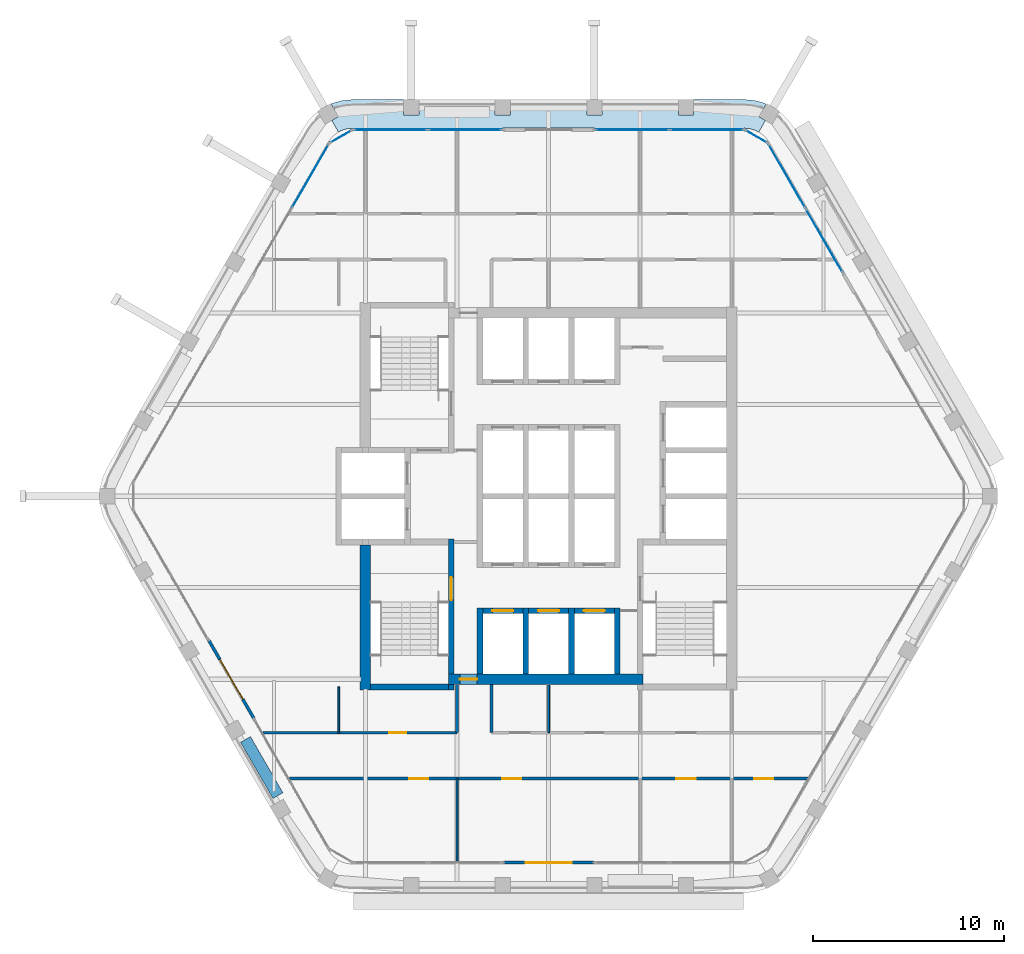
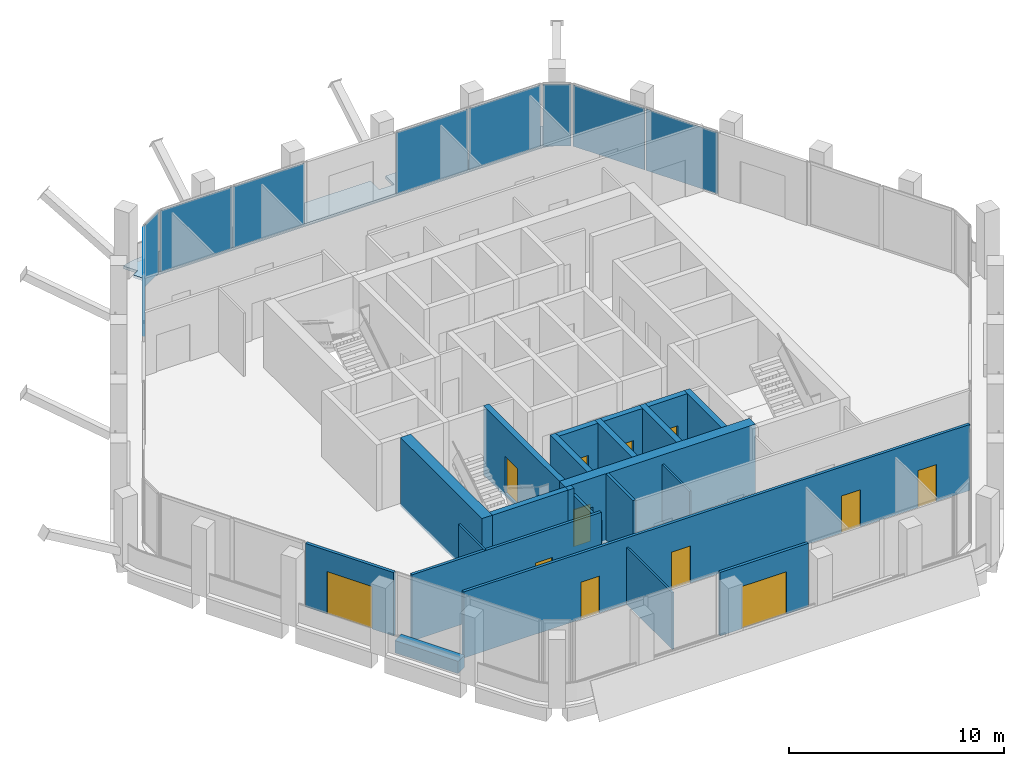
# One storey, part 7 of 14: 22 walls, 12 doors, 9 plates, 1 slab, 12 openings, 6 elements without a shape of their own.
"""IFC4 building model written with IfcOpenShell, lengths in metres."""

import ifcopenshell
import ifcopenshell.guid

model = None  # the IFC model being written
_history = None  # IfcOwnerHistory: only IFC2X3 demands one
_inside = {}  # id of a spatial element -> (the spatial element, [elements in it])
_under = {}  # id of a project, library or spatial element -> (it, [spatial elements below it])
_declared = {}  # id of a project -> (the project, [libraries it declares])
_typed = {}  # id of a type object -> (the type object, [elements of that type])
_made_of = {}  # id of a material, layer set ... -> (it, [elements and type objects made of it])


def new_model(schema):
    """Start an empty IFC model of exactly this schema.

    Asked for "IFC4X3", IfcOpenShell would pick the latest addendum, in which some entities
    have other attributes; the version numbers below select the first issue.
    IFC2X3 requires an IfcOwnerHistory on every rooted entity: one is made here for all.
    """
    global model, _history
    if schema == "IFC4X3":
        model = ifcopenshell.file(schema_version=(4, 3, 0, 0))
    else:
        model = ifcopenshell.file(schema=schema)
    _inside.clear()
    _under.clear()
    _declared.clear()
    _typed.clear()
    _made_of.clear()
    _history = None
    if model.schema == "IFC2X3":
        org = make("IfcOrganization", Name="unknown")
        user = make(
            "IfcPersonAndOrganization",
            ThePerson=make("IfcPerson", FamilyName="unknown"),
            TheOrganization=org,
        )
        app = make(
            "IfcApplication",
            ApplicationDeveloper=org,
            Version="unknown",
            ApplicationFullName="unknown",
            ApplicationIdentifier="unknown",
        )
        _history = make(
            "IfcOwnerHistory",
            OwningUser=user,
            OwningApplication=app,
            ChangeAction="ADDED",
            CreationDate=0,
        )
    return model


def make(cls, **values):
    """One entity of the class cls with the attributes given. An attribute that is None is left unset."""
    return model.create_entity(
        cls, **{name: value for name, value in values.items() if value is not None}
    )


def rooted(cls, **values):
    """An entity with a GlobalId (a new one), such as an element, a storey or a relation."""
    return make(cls, GlobalId=ifcopenshell.guid.new(), OwnerHistory=_history, **values)


def si_unit(unit_type, name, prefix=None):
    """IfcSIUnit, for example si_unit("LENGTHUNIT", "METRE", prefix="MILLI")."""
    return make("IfcSIUnit", UnitType=unit_type, Prefix=prefix, Name=name)


def assignment(units):
    """IfcUnitAssignment: the units of a project."""
    return None if units is None else make("IfcUnitAssignment", Units=units)


def point(xyz):
    """IfcCartesianPoint."""
    return None if xyz is None else make("IfcCartesianPoint", Coordinates=xyz)


def direction(xyz):
    """IfcDirection."""
    return None if xyz is None else make("IfcDirection", DirectionRatios=xyz)


def frame(location, z_axis=None, x_axis=None):
    """IfcAxis2Placement3D, a coordinate frame: its origin and axes. An axis left out is left unset."""
    return make(
        "IfcAxis2Placement3D",
        Location=point(location),
        Axis=direction(z_axis),
        RefDirection=direction(x_axis),
    )


def frame_2d(location, x_axis=None):
    """IfcAxis2Placement2D, a coordinate frame in the plane: its origin and x axis."""
    return make(
        "IfcAxis2Placement2D", Location=point(location), RefDirection=direction(x_axis)
    )


def origin():
    """The frame at (0, 0, 0) with its axes left unset."""
    return frame((0.0, 0.0, 0.0))


def origin_2d():
    """The frame at (0, 0) in the plane with its x axis left unset."""
    return frame_2d((0.0, 0.0))


def place(relative_to, where):
    """IfcLocalPlacement: puts the frame where relative to a parent placement (None: the world)."""
    return make(
        "IfcLocalPlacement", PlacementRelTo=relative_to, RelativePlacement=where
    )


def context(
    kind, dimensions, precision=None, world=None, true_north=None, identifier=None
):
    """IfcGeometricRepresentationContext, for example the 3D "Model" context."""
    return make(
        "IfcGeometricRepresentationContext",
        ContextIdentifier=identifier,
        ContextType=kind,
        CoordinateSpaceDimension=dimensions,
        Precision=precision,
        WorldCoordinateSystem=world,
        TrueNorth=true_north,
    )


def subcontext(parent, identifier, kind, view, scale=None):
    """IfcGeometricRepresentationSubContext, for example "Body" below "Model"."""
    return make(
        "IfcGeometricRepresentationSubContext",
        ContextIdentifier=identifier,
        ContextType=kind,
        ParentContext=parent,
        TargetScale=scale,
        TargetView=view,
    )


def project(units=None, contexts=None):
    """IfcProject with its units and contexts."""
    return rooted(
        "IfcProject",
        Name="project",
        RepresentationContexts=contexts,
        UnitsInContext=assignment(units),
    )


def spatial(cls, under=None, at=None, **own):
    """A site, building, storey or space (cls), placed at a placement, below another one or the project."""
    s = rooted(cls, ObjectPlacement=at, **own)
    if under is not None:
        _under.setdefault(under.id(), (under, []))[1].append(s)
    return s


def polyline(points):
    """IfcPolyline through the points."""
    return make("IfcPolyline", Points=[point(p) for p in points])


def profile(cls, at=None, kind="AREA", **sizes):
    """A parametric profile (cls). Its sizes go by their IFC names, for example OverallWidth=200.0."""
    return make(cls, ProfileType=kind, Position=at, **sizes)


def rectangle(**sizes):
    """IfcRectangleProfileDef."""
    return profile("IfcRectangleProfileDef", **sizes)


def outline(outer, holes=None, kind="AREA"):
    """IfcArbitraryClosedProfileDef: a profile drawn as a closed curve; with holes, ...WithVoids."""
    if holes is None:
        return make("IfcArbitraryClosedProfileDef", ProfileType=kind, OuterCurve=outer)
    return make(
        "IfcArbitraryProfileDefWithVoids",
        ProfileType=kind,
        OuterCurve=outer,
        InnerCurves=holes,
    )


def extrude(swept, where, along, depth):
    """IfcExtrudedAreaSolid: the profile swept, set in the frame where, extruded along a direction by depth."""
    return make(
        "IfcExtrudedAreaSolid",
        SweptArea=swept,
        Position=where,
        ExtrudedDirection=direction(along),
        Depth=depth,
    )


def shape(context_of_items, identifier, shape_type, items):
    """IfcShapeRepresentation: the items that make up one representation, for example the "Body"."""
    return make(
        "IfcShapeRepresentation",
        ContextOfItems=context_of_items,
        RepresentationIdentifier=identifier,
        RepresentationType=shape_type,
        Items=items,
    )


def material(Name=None, Category=None):
    """IfcMaterial."""
    return make("IfcMaterial", Name=Name, Category=Category)


def layer(
    of_material, thickness, ventilated=None, Name=None, Category=None, Priority=None
):
    """IfcMaterialLayer: one layer of a wall or slab, of a material (None: an air gap)."""
    return make(
        "IfcMaterialLayer",
        Material=of_material,
        LayerThickness=thickness,
        IsVentilated=ventilated,
        Name=Name,
        Category=Category,
        Priority=Priority,
    )


def layer_set(layers, Name=None):
    """IfcMaterialLayerSet."""
    return make("IfcMaterialLayerSet", MaterialLayers=layers, LayerSetName=Name)


def made_of(thing, what):
    """Note that an element or type object is made of a material, layer set ...; save() writes the relation."""
    if what is not None:
        _made_of.setdefault(what.id(), (what, []))[1].append(thing)
    return thing


def type_object(cls, material=None, **own):
    """A type object (cls), such as IfcWallType, which elements share."""
    return made_of(rooted(cls, **own), material)


def element(
    cls,
    number,
    at=None,
    inside=None,
    cuts=None,
    type_object=None,
    material=None,
    context=None,
    identifier="Body",
    shape_type=None,
    held_by="IfcProductDefinitionShape",
    body=None,
    shapes=None,
    **own,
):
    """One element of the class cls, such as IfcWall. Its Tag is "e" and its number.

    at: its placement. inside: the storey or other place that contains it. cuts: it is an
    opening in that element (IfcRelVoidsElement). A single representation is given by context,
    identifier, shape_type and body (its items); several are given by shapes. held_by: the class
    of the entity that holds the representations. save() writes the other relations.
    """
    e = rooted(cls, Tag="e%d" % number, ObjectPlacement=at, **own)
    if body is not None:
        shapes = [shape(context, identifier, shape_type, body)]
    if shapes is not None:
        e.Representation = make(held_by, Representations=shapes)
    if inside is not None:
        _inside.setdefault(inside.id(), (inside, []))[1].append(e)
    if cuts is not None:
        rooted(
            "IfcRelVoidsElement", RelatingBuildingElement=cuts, RelatedOpeningElement=e
        )
    if type_object is not None:
        _typed.setdefault(type_object.id(), (type_object, []))[1].append(e)
    return made_of(e, material)


def fill(opening, filler):
    """IfcRelFillsElement: the door or window that sits in an opening."""
    return rooted(
        "IfcRelFillsElement",
        RelatingOpeningElement=opening,
        RelatedBuildingElement=filler,
    )


def aggregate(whole, parts):
    """IfcRelAggregates: a whole, such as a stair, and the parts it consists of."""
    return rooted("IfcRelAggregates", RelatingObject=whole, RelatedObjects=parts)


def save(model, path):
    """Write the relations noted so far, then the file.

    IfcRelAggregates (storeys below a building ...), IfcRelContainedInSpatialStructure (elements
    in a storey), IfcRelDefinesByType, IfcRelAssociatesMaterial and IfcRelDeclares: one each for
    every whole, place, type object, material and project.
    """
    for whole, parts in _under.values():
        aggregate(whole, parts)
    for where, things in _inside.values():
        rooted(
            "IfcRelContainedInSpatialStructure",
            RelatedElements=things,
            RelatingStructure=where,
        )
    for kind, things in _typed.values():
        rooted("IfcRelDefinesByType", RelatedObjects=things, RelatingType=kind)
    for what, things in _made_of.values():
        rooted("IfcRelAssociatesMaterial", RelatedObjects=things, RelatingMaterial=what)
    for by, libraries in _declared.values():
        rooted("IfcRelDeclares", RelatingContext=by, RelatedDefinitions=libraries)
    model.write(path)


model = new_model("IFC4")

# Units and contexts
model_context = context("Model", 3, precision=1e-05, world=origin(), true_north=direction((0.0, 1.0)))
body_context = subcontext(model_context, "Body", "Model", "MODEL_VIEW")
ifc_project = project(units=[si_unit("LENGTHUNIT", "METRE"), si_unit("AREAUNIT", "SQUARE_METRE"), si_unit("VOLUMEUNIT", "CUBIC_METRE"), si_unit("PLANEANGLEUNIT", "RADIAN"), si_unit("MASSUNIT", "GRAM", prefix="KILO")], contexts=[model_context])

# Site, building, storey
site_placement = place(None, origin())
site = spatial("IfcSite", under=ifc_project, at=site_placement, CompositionType="ELEMENT")
building_placement = place(site_placement, origin())
building = spatial("IfcBuilding", under=site, at=building_placement, Name="Kolab Exchange Tower", CompositionType="ELEMENT")
storey_placement = place(building_placement, frame((0.0, 0.0, 250.10009765625)))
storey = spatial("IfcBuildingStorey", under=building, at=storey_placement, Name="L55", CompositionType="ELEMENT", Elevation=250.10009765625)

# Slab
ifc_material_1 = material(Name="Concrete C35/45", Category="concrete")
ifc_layer_1 = layer(ifc_material_1, 0.14990234375)
ifc_layer_set_1 = layer_set([ifc_layer_1], Name="Concrete C35/45")
slab_type = type_object("IfcSlabType", Name="LOGGIA SLAB 150", PredefinedType="FLOOR", material=ifc_layer_set_1)
slab_placement = place(storey_placement, frame((0.0, 0.0, -0.150146484375)))
element("IfcSlab", 1, at=slab_placement, inside=storey, type_object=slab_type, Name="slab/L55/loggia/0-0", PredefinedType="FLOOR", context=body_context, shape_type="SweptSolid", body=[
    extrude(outline(polyline([(11.01806640625, 19.083740234375), (11.367919921875, 19.68994140625), (11.021484375, 19.889892578125), (11.404052734375, 20.552490234375), (11.2939453125, 20.603759765625), (10.788818359375, 20.739013671875), (10.26806640625, 20.78466796875), (7.60009765625, 20.78466796875), (7.60009765625, 19.984619140625), (6.800048828125, 19.984619140625), (6.800048828125, 20.78466796875), (2.800048828125, 20.78466796875), (2.800048828125, 19.984619140625), (2.0, 19.984619140625), (2.0, 20.78466796875), (-2.0, 20.78466796875), (-2.0, 19.984619140625), (-2.800048828125, 19.984619140625), (-2.800048828125, 20.78466796875), (-6.800048828125, 20.78466796875), (-6.800048828125, 19.984619140625), (-7.60009765625, 19.984619140625), (-7.60009765625, 20.78466796875), (-10.26806640625, 20.78466796875), (-10.788818359375, 20.739013671875), (-11.2939453125, 20.603759765625), (-11.404052734375, 20.552490234375), (-11.021484375, 19.889892578125), (-11.367919921875, 19.68994140625), (-11.01806640625, 19.083740234375), (-10.781005859375, 19.194091796875), (-10.5283203125, 19.26171875), (-10.26806640625, 19.28466796875), (10.26806640625, 19.28466796875), (10.5283203125, 19.26171875), (10.781005859375, 19.194091796875), (11.01806640625, 19.083740234375)])), origin(), (0.0, 0.0, 1.0), 0.150146484375),
])

# Curtain wall, plates
ifc_material_2 = material(Name="Aluminium EN AW-6063 T6", Category="aluminium")
curtain_wall_type = type_object("IfcCurtainWallType", Name="UNITISED HIGH ZONE CURTAIN WALL", PredefinedType="NOTDEFINED", material=ifc_material_2)
curtain_wall_1_placement = place(storey_placement, origin())
curtain_wall_1 = element("IfcCurtainWall", 2, at=curtain_wall_1_placement, inside=storey, type_object=curtain_wall_type, Name="cw/L55/F1-1", PredefinedType="NOTDEFINED")
ifc_material_3 = material(Name="Clear insulated glazing unit", Category="glass")
ifc_layer_2 = layer(ifc_material_3, 0.030029296875)
ifc_layer_set_2 = layer_set([ifc_layer_2], Name="Clear insulated glazing unit")
plate_type = type_object("IfcPlateType", Name="UNITISED HIGH ZONE GLASS PANEL 30", PredefinedType="CURTAIN_PANEL", material=ifc_layer_set_2)
plate_1_placement = place(storey_placement, frame((-8.285888671875, 19.20458984375, 0.059814453125), z_axis=(0.0, 0.0, 1.0), x_axis=(1.0, 0.0, 0.0)))
plate_1 = element("IfcPlate", 3, at=plate_1_placement, type_object=plate_type, Name="CW4 panel 1.1", PredefinedType="CURTAIN_PANEL", context=body_context, shape_type="SweptSolid", body=[
    extrude(rectangle(XDim=3.843994140625, YDim=0.030029296875, at=origin_2d()), origin(), (0.0, 0.0, 1.0), 3.47998046875),
])
plate_2_placement = place(storey_placement, frame((-4.382080078125, 19.20458984375, 0.059814453125), z_axis=(0.0, 0.0, 1.0), x_axis=(1.0, 0.0, 0.0)))
plate_2 = element("IfcPlate", 4, at=plate_2_placement, type_object=plate_type, Name="CW4 panel 2.1", PredefinedType="CURTAIN_PANEL", context=body_context, shape_type="SweptSolid", body=[
    extrude(rectangle(XDim=3.843994140625, YDim=0.030029296875, at=origin_2d()), origin(), (0.0, 0.0, 1.0), 3.47998046875),
])
aggregate(curtain_wall_1, [plate_1, plate_2])

curtain_wall_2_placement = place(storey_placement, origin())
curtain_wall_2 = element("IfcCurtainWall", 5, at=curtain_wall_2_placement, inside=storey, type_object=curtain_wall_type, Name="cw/L55/F1-2", PredefinedType="NOTDEFINED")
plate_3_placement = place(storey_placement, frame((4.382080078125, 19.20458984375, 0.059814453125), z_axis=(0.0, 0.0, 1.0), x_axis=(1.0, 0.0, 0.0)))
plate_3 = element("IfcPlate", 6, at=plate_3_placement, type_object=plate_type, Name="CW4 panel 1.1", PredefinedType="CURTAIN_PANEL", context=body_context, shape_type="SweptSolid", body=[
    extrude(rectangle(XDim=3.843994140625, YDim=0.030029296875, at=origin_2d()), origin(), (0.0, 0.0, 1.0), 3.47998046875),
])
plate_4_placement = place(storey_placement, frame((8.285888671875, 19.20458984375, 0.059814453125), z_axis=(0.0, 0.0, 1.0), x_axis=(1.0, 0.0, 0.0)))
plate_4 = element("IfcPlate", 7, at=plate_4_placement, type_object=plate_type, Name="CW4 panel 2.1", PredefinedType="CURTAIN_PANEL", context=body_context, shape_type="SweptSolid", body=[
    extrude(rectangle(XDim=3.843994140625, YDim=0.030029296875, at=origin_2d()), origin(), (0.0, 0.0, 1.0), 3.47998046875),
])
aggregate(curtain_wall_2, [plate_3, plate_4])

curtain_wall_3_placement = place(storey_placement, origin())
curtain_wall_3 = element("IfcCurtainWall", 8, at=curtain_wall_3_placement, inside=storey, type_object=curtain_wall_type, Name="cw/L55/F2-1", PredefinedType="NOTDEFINED")
plate_5_placement = place(storey_placement, frame((12.48876953125, 16.778076171875, 0.059814453125), z_axis=(0.0, 0.0, 1.0), x_axis=(0.500000031681, -0.866025385493, 0.0)))
plate_5 = element("IfcPlate", 9, at=plate_5_placement, type_object=plate_type, Name="CW4 panel 1.1", PredefinedType="CURTAIN_PANEL", context=body_context, shape_type="SweptSolid", body=[
    extrude(rectangle(XDim=3.843994140625, YDim=0.030029296875, at=origin_2d()), origin(), (0.0, 0.0, 1.0), 3.47998046875),
])
plate_6_placement = place(storey_placement, frame((14.440673828125, 13.397216796875, 0.059814453125), z_axis=(0.0, 0.0, 1.0), x_axis=(0.500000031681, -0.866025385493, 0.0)))
plate_6 = element("IfcPlate", 10, at=plate_6_placement, type_object=plate_type, Name="CW4 panel 2.1", PredefinedType="CURTAIN_PANEL", context=body_context, shape_type="SweptSolid", body=[
    extrude(rectangle(XDim=3.843994140625, YDim=0.030029296875, at=origin_2d()), origin(), (0.0, 0.0, 1.0), 3.47998046875),
])
aggregate(curtain_wall_3, [plate_5, plate_6])

# Curtain wall, plate
curtain_wall_4_placement = place(storey_placement, origin())
curtain_wall_4 = element("IfcCurtainWall", 11, at=curtain_wall_4_placement, inside=storey, type_object=curtain_wall_type, Name="cw/L55/F6-2", PredefinedType="NOTDEFINED")
plate_7_placement = place(storey_placement, frame((-12.48876953125, 16.778076171875, 0.059814453125), z_axis=(0.0, 0.0, 1.0), x_axis=(0.500000031681, 0.866025385493, 0.0)))
plate_7 = element("IfcPlate", 12, at=plate_7_placement, type_object=plate_type, Name="CW4 panel 2.1", PredefinedType="CURTAIN_PANEL", context=body_context, shape_type="SweptSolid", body=[
    extrude(rectangle(XDim=3.843994140625, YDim=0.030029296875, at=origin_2d()), origin(), (0.0, 0.0, 1.0), 3.47998046875),
])
aggregate(curtain_wall_4, [plate_7])

curtain_wall_5_placement = place(storey_placement, origin())
curtain_wall_5 = element("IfcCurtainWall", 13, at=curtain_wall_5_placement, inside=storey, type_object=curtain_wall_type, Name="cw/L55/F1F2-corner", PredefinedType="NOTDEFINED")
plate_8_placement = place(storey_placement, frame((10.8828125, 18.849609375, 0.059814453125), z_axis=(0.0, 0.0, 1.0), x_axis=(0.866025390869, -0.50000002237, 0.0)))
plate_8 = element("IfcPlate", 14, at=plate_8_placement, type_object=plate_type, Name="CW4 panel 1.1", PredefinedType="CURTAIN_PANEL", context=body_context, shape_type="SweptSolid", body=[
    extrude(rectangle(XDim=1.300048828125, YDim=0.030029296875, at=origin_2d()), origin(), (0.0, 0.0, 1.0), 3.47998046875),
])
aggregate(curtain_wall_5, [plate_8])

curtain_wall_6_placement = place(storey_placement, origin())
curtain_wall_6 = element("IfcCurtainWall", 15, at=curtain_wall_6_placement, inside=storey, type_object=curtain_wall_type, Name="cw/L55/F6F1-corner", PredefinedType="NOTDEFINED")
plate_9_placement = place(storey_placement, frame((-10.8828125, 18.849609375, 0.059814453125), z_axis=(0.0, 0.0, 1.0), x_axis=(0.866025390869, 0.50000002237, 0.0)))
plate_9 = element("IfcPlate", 16, at=plate_9_placement, type_object=plate_type, Name="CW4 panel 1.1", PredefinedType="CURTAIN_PANEL", context=body_context, shape_type="SweptSolid", body=[
    extrude(rectangle(XDim=1.300048828125, YDim=0.030029296875, at=origin_2d()), origin(), (0.0, 0.0, 1.0), 3.47998046875),
])
aggregate(curtain_wall_6, [plate_9])

# Wall, opening, door
ifc_material_4 = material(Name="Concrete C50/60", Category="concrete")
ifc_layer_3 = layer(ifc_material_4, 0.550048828125)
ifc_layer_set_3 = layer_set([ifc_layer_3], Name="Concrete C50/60")
wall_type_1 = type_object("IfcWallType", Name="CORE WALL 550 C50/60", PredefinedType="SHEAR", material=ifc_layer_set_3)
wall_1_placement = place(storey_placement, frame((-5.25, -9.60009765625, -0.150146484375), z_axis=(0.0, 0.0, 1.0), x_axis=(1.0, 0.0, 0.0)))
wall_1 = element("IfcWall", 17, at=wall_1_placement, inside=storey, type_object=wall_type_1, Name="wall/L55/core/002", PredefinedType="SHEAR", context=body_context, shape_type="SweptSolid", body=[
    extrude(rectangle(XDim=10.199951171875, YDim=0.550048828125, at=frame_2d((5.10009765625, 0.0))), origin(), (0.0, 0.0, 1.0), 3.900146484375),
])
opening_1_placement = place(wall_1_placement, frame((0.60009765625, 0.0, 0.14990234375)))
opening_1 = element("IfcOpeningElement", 18, at=opening_1_placement, cuts=wall_1, Name="Opening D6-297", PredefinedType="OPENING", context=body_context, shape_type="SweptSolid", body=[
    extrude(rectangle(XDim=0.89990234375, YDim=2.10009765625, at=frame_2d((0.449951171875, 1.050048828125))), frame((0.0, 0.28515625, 0.0), z_axis=(0.0, -1.0, 0.0), x_axis=(1.0, 0.0, 0.0)), (0.0, 0.0, 1.0), 0.570068359375),
])
ifc_material_5 = material(Name="Steel S235", Category="steel")
door_type_1 = type_object("IfcDoorType", Name="CORE DOOR 900 EI 120", OperationType="SINGLE_SWING_LEFT", PredefinedType="DOOR", material=ifc_material_5)
door_1_placement = place(opening_1_placement, origin())
door_1 = element("IfcDoor", 19, at=door_1_placement, inside=storey, type_object=door_type_1, Name="Core lobby door", OperationType="SINGLE_SWING_RIGHT", OverallHeight=2.10009765625, OverallWidth=0.89990234375, PredefinedType="DOOR", context=body_context, shape_type="SweptSolid", body=[
    extrude(rectangle(XDim=0.89990234375, YDim=2.10009765625, at=frame_2d((0.449951171875, 1.050048828125))), frame((0.0, 0.02490234375, 0.0), z_axis=(0.0, -1.0, 0.0), x_axis=(1.0, 0.0, 0.0)), (0.0, 0.0, 1.0), 0.050048828125),
])
fill(opening_1, door_1)

# Wall
wall_2_placement = place(storey_placement, frame((-9.60009765625, -10.14990234375, -0.150146484375), z_axis=(0.0, 0.0, 1.0), x_axis=(0.0, 1.0, 0.0)))
element("IfcWall", 20, at=wall_2_placement, inside=storey, type_object=wall_type_1, Name="wall/L55/core/034", PredefinedType="SHEAR", context=body_context, shape_type="SweptSolid", body=[
    extrude(rectangle(XDim=7.599853515625, YDim=0.550048828125, at=frame_2d((3.7998046875, 0.0))), origin(), (0.0, 0.0, 1.0), 3.900146484375),
])

# Wall, opening, door
ifc_layer_4 = layer(ifc_material_2, 0.159912109375)
ifc_layer_set_4 = layer_set([ifc_layer_4], Name="Aluminium EN AW-6063 T6")
wall_type_2 = type_object("IfcWallType", Name="DOOR SURROUND WALL 160 ALUMINIUM FRAMED", PredefinedType="PARTITIONING", material=ifc_layer_set_4)
wall_3_placement = place(storey_placement, frame((2.3701171875, -19.20458984375, 0.0), z_axis=(0.0, 0.0, 1.0), x_axis=(-1.0, 0.0, 0.0)))
wall_3 = element("IfcWall", 21, at=wall_3_placement, inside=storey, type_object=wall_type_2, Name="Door surround wall", PredefinedType="PARTITIONING", context=body_context, shape_type="SweptSolid", body=[
    extrude(rectangle(XDim=4.740234375, YDim=0.159912109375, at=frame_2d((2.3701171875, 0.0))), origin(), (0.0, 0.0, 1.0), 3.599853515625),
])
opening_2_placement = place(wall_3_placement, frame((1.169921875, 0.0, 0.0)))
opening_2 = element("IfcOpeningElement", 22, at=opening_2_placement, cuts=wall_3, Name="Opening GD1-101", PredefinedType="OPENING", context=body_context, shape_type="SweptSolid", body=[
    extrude(rectangle(XDim=2.39990234375, YDim=2.39990234375, at=frame_2d((1.199951171875, 1.199951171875))), frame((0.0, 0.08984375, 0.0), z_axis=(0.0, -1.0, 0.0), x_axis=(1.0, 0.0, 0.0)), (0.0, 0.0, 1.0), 0.179931640625),
])
door_type_2 = type_object("IfcDoorType", Name="LOGGIA SLIDING GLASS DOOR 2400 X 2400", OperationType="DOUBLE_DOOR_SINGLE_SWING", PredefinedType="DOOR", material=ifc_material_2)
door_2_placement = place(opening_2_placement, origin())
door_2 = element("IfcDoor", 23, at=door_2_placement, inside=storey, type_object=door_type_2, Name="Loggia door", OperationType="DOUBLE_DOOR_SLIDING", OverallHeight=2.39990234375, OverallWidth=2.39990234375, PredefinedType="DOOR", context=body_context, shape_type="SweptSolid", body=[
    extrude(rectangle(XDim=2.39990234375, YDim=2.39990234375, at=frame_2d((1.199951171875, 1.199951171875))), frame((0.0, 0.02490234375, 0.0), z_axis=(0.0, -1.0, 0.0), x_axis=(1.0, 0.0, 0.0)), (0.0, 0.0, 1.0), 0.050048828125),
])
fill(opening_2, door_2)

wall_4_placement = place(storey_placement, frame((-15.44677734375, -11.65478515625, 0.0), z_axis=(0.0, 0.0, 1.0), x_axis=(-0.499978080042, 0.866038058908, 0.0)))
wall_4 = element("IfcWall", 24, at=wall_4_placement, inside=storey, type_object=wall_type_2, Name="Door surround wall", PredefinedType="PARTITIONING", context=body_context, shape_type="SweptSolid", body=[
    extrude(rectangle(XDim=4.739990234375, YDim=0.159912109375, at=frame_2d((2.3701171875, 0.0))), origin(), (0.0, 0.0, 1.0), 3.599853515625),
])
opening_3_placement = place(wall_4_placement, frame((1.169921875, 0.0, 0.0)))
opening_3 = element("IfcOpeningElement", 25, at=opening_3_placement, cuts=wall_4, Name="Opening GD1-105", PredefinedType="OPENING", context=body_context, shape_type="SweptSolid", body=[
    extrude(rectangle(XDim=2.39990234375, YDim=2.39990234375, at=frame_2d((1.199951171875, 1.199951171875))), frame((0.0, 0.08984375, 0.0), z_axis=(0.0, -1.0, 0.0), x_axis=(1.0, 0.0, 0.0)), (0.0, 0.0, 1.0), 0.179931640625),
])
door_3_placement = place(opening_3_placement, origin())
door_3 = element("IfcDoor", 26, at=door_3_placement, inside=storey, type_object=door_type_2, Name="Loggia door", OperationType="DOUBLE_DOOR_SLIDING", OverallHeight=2.39990234375, OverallWidth=2.39990234375, PredefinedType="DOOR", context=body_context, shape_type="SweptSolid", body=[
    extrude(rectangle(XDim=2.39990234375, YDim=2.39990234375, at=frame_2d((1.199951171875, 1.199951171875))), frame((0.0, 0.02490234375, 0.0), z_axis=(0.0, -1.0, 0.0), x_axis=(1.0, 0.0, 0.0)), (0.0, 0.0, 1.0), 0.050048828125),
])
fill(opening_3, door_3)

ifc_layer_5 = layer(ifc_material_4, 0.300048828125)
ifc_layer_set_5 = layer_set([ifc_layer_5], Name="Concrete C50/60")
wall_type_3 = type_object("IfcWallType", Name="LIFT SHAFT WALL 300 C50/60", PredefinedType="STANDARD", material=ifc_layer_set_5)
wall_5_placement = place(storey_placement, frame((-3.449951171875, -6.0, -0.150146484375), z_axis=(0.0, 0.0, 1.0), x_axis=(1.0, 0.0, 0.0)))
wall_5 = element("IfcWall", 27, at=wall_5_placement, inside=storey, type_object=wall_type_3, Name="wall/L55/core/003", PredefinedType="STANDARD", context=body_context, shape_type="SweptSolid", body=[
    extrude(rectangle(XDim=2.099853515625, YDim=0.300048828125, at=frame_2d((1.0498046875, 0.0))), origin(), (0.0, 0.0, 1.0), 3.900146484375),
])
opening_4_placement = place(wall_5_placement, frame((0.5, 0.0, 0.14990234375)))
opening_4 = element("IfcOpeningElement", 28, at=opening_4_placement, cuts=wall_5, Name="Opening LD1-110", PredefinedType="OPENING", context=body_context, shape_type="SweptSolid", body=[
    extrude(rectangle(XDim=1.10009765625, YDim=2.10009765625, at=frame_2d((0.550048828125, 1.050048828125))), frame((0.0, 0.16015625, 0.0), z_axis=(0.0, -1.0, 0.0), x_axis=(1.0, 0.0, 0.0)), (0.0, 0.0, 1.0), 0.320068359375),
])
ifc_material_6 = material(Name="Stainless steel 316", Category="steel")
door_type_3 = type_object("IfcDoorType", Name="LANDING DOOR 1100 PASSENGER", OperationType="DOUBLE_DOOR_SLIDING", PredefinedType="DOOR", material=ifc_material_6)
door_4_placement = place(opening_4_placement, origin())
door_4 = element("IfcDoor", 29, at=door_4_placement, inside=storey, type_object=door_type_3, Name="Landing door HR10", OperationType="DOUBLE_DOOR_SLIDING", OverallHeight=2.10009765625, OverallWidth=1.10009765625, PredefinedType="DOOR", context=body_context, shape_type="SweptSolid", body=[
    extrude(rectangle(XDim=1.10009765625, YDim=2.10009765625, at=frame_2d((0.550048828125, 1.050048828125))), frame((0.0, 0.02490234375, 0.0), z_axis=(0.0, -1.0, 0.0), x_axis=(1.0, 0.0, 0.0)), (0.0, 0.0, 1.0), 0.050048828125),
])
fill(opening_4, door_4)

wall_6_placement = place(storey_placement, frame((-1.050048828125, -6.0, -0.150146484375), z_axis=(0.0, 0.0, 1.0), x_axis=(1.0, 0.0, 0.0)))
wall_6 = element("IfcWall", 30, at=wall_6_placement, inside=storey, type_object=wall_type_3, Name="wall/L55/core/004", PredefinedType="STANDARD", context=body_context, shape_type="SweptSolid", body=[
    extrude(rectangle(XDim=2.10009765625, YDim=0.300048828125, at=frame_2d((1.050048828125, 0.0))), origin(), (0.0, 0.0, 1.0), 3.900146484375),
])
opening_5_placement = place(wall_6_placement, frame((0.5, 0.0, 0.14990234375)))
opening_5 = element("IfcOpeningElement", 31, at=opening_5_placement, cuts=wall_6, Name="Opening LD1-111", PredefinedType="OPENING", context=body_context, shape_type="SweptSolid", body=[
    extrude(rectangle(XDim=1.10009765625, YDim=2.10009765625, at=frame_2d((0.550048828125, 1.050048828125))), frame((0.0, 0.16015625, 0.0), z_axis=(0.0, -1.0, 0.0), x_axis=(1.0, 0.0, 0.0)), (0.0, 0.0, 1.0), 0.320068359375),
])
door_5_placement = place(opening_5_placement, origin())
door_5 = element("IfcDoor", 32, at=door_5_placement, inside=storey, type_object=door_type_3, Name="Landing door HR11", OperationType="DOUBLE_DOOR_SLIDING", OverallHeight=2.10009765625, OverallWidth=1.10009765625, PredefinedType="DOOR", context=body_context, shape_type="SweptSolid", body=[
    extrude(rectangle(XDim=1.10009765625, YDim=2.10009765625, at=frame_2d((0.550048828125, 1.050048828125))), frame((0.0, 0.02490234375, 0.0), z_axis=(0.0, -1.0, 0.0), x_axis=(1.0, 0.0, 0.0)), (0.0, 0.0, 1.0), 0.050048828125),
])
fill(opening_5, door_5)

wall_7_placement = place(storey_placement, frame((1.35009765625, -6.0, -0.150146484375), z_axis=(0.0, 0.0, 1.0), x_axis=(1.0, 0.0, 0.0)))
wall_7 = element("IfcWall", 33, at=wall_7_placement, inside=storey, type_object=wall_type_3, Name="wall/L55/core/005", PredefinedType="STANDARD", context=body_context, shape_type="SweptSolid", body=[
    extrude(rectangle(XDim=2.099853515625, YDim=0.300048828125, at=frame_2d((1.0498046875, 0.0))), origin(), (0.0, 0.0, 1.0), 3.900146484375),
])
opening_6_placement = place(wall_7_placement, frame((0.5, 0.0, 0.14990234375)))
opening_6 = element("IfcOpeningElement", 34, at=opening_6_placement, cuts=wall_7, Name="Opening LD1-112", PredefinedType="OPENING", context=body_context, shape_type="SweptSolid", body=[
    extrude(rectangle(XDim=1.10009765625, YDim=2.10009765625, at=frame_2d((0.550048828125, 1.050048828125))), frame((0.0, 0.16015625, 0.0), z_axis=(0.0, -1.0, 0.0), x_axis=(1.0, 0.0, 0.0)), (0.0, 0.0, 1.0), 0.320068359375),
])
door_6_placement = place(opening_6_placement, origin())
door_6 = element("IfcDoor", 35, at=door_6_placement, inside=storey, type_object=door_type_3, Name="Landing door HR12", OperationType="DOUBLE_DOOR_SLIDING", OverallHeight=2.10009765625, OverallWidth=1.10009765625, PredefinedType="DOOR", context=body_context, shape_type="SweptSolid", body=[
    extrude(rectangle(XDim=1.10009765625, YDim=2.10009765625, at=frame_2d((0.550048828125, 1.050048828125))), frame((0.0, 0.02490234375, 0.0), z_axis=(0.0, -1.0, 0.0), x_axis=(1.0, 0.0, 0.0)), (0.0, 0.0, 1.0), 0.050048828125),
])
fill(opening_6, door_6)

# Walls
for number, where, z_axis, x_axis, name in (
    (36, (-3.60009765625, -9.324951171875, -0.150146484375), (0.0, 0.0, 1.0), (0.0, 1.0, 0.0), "wall/L55/core/043"),
    (37, (-1.199951171875, -9.324951171875, -0.150146484375), (0.0, 0.0, 1.0), (0.0, 1.0, 0.0), "wall/L55/core/046"),
    (38, (1.199951171875, -9.324951171875, -0.150146484375), (0.0, 0.0, 1.0), (0.0, 1.0, 0.0), "wall/L55/core/049"),
    (39, (3.60009765625, -9.324951171875, -0.150146484375), (0.0, 0.0, 1.0), (0.0, 1.0, 0.0), "wall/L55/core/052"),
):
    element("IfcWall", number, at=place(storey_placement, frame(where, z_axis=z_axis, x_axis=x_axis)), inside=storey, type_object=wall_type_3, Name=name, PredefinedType="STANDARD", context=body_context, shape_type="SweptSolid", body=[
        extrude(rectangle(XDim=3.474853515625, YDim=0.300048828125, at=frame_2d((1.7373046875, 0.0))), origin(), (0.0, 0.0, 1.0), 3.900146484375),
    ])
ifc_material_7 = material(Name="Gypsum board", Category="gypsum")
ifc_layer_6 = layer(ifc_material_7, 0.10009765625)
ifc_layer_set_6 = layer_set([ifc_layer_6], Name="Gypsum board")
wall_type_4 = type_object("IfcWallType", Name="PARTITION 100", PredefinedType="PARTITIONING", material=ifc_layer_set_6)
wall_8_placement = place(storey_placement, frame((0.0, -12.39990234375, 0.0), z_axis=(0.0, 0.0, 1.0), x_axis=(0.0, 1.0, 0.0)))
element("IfcWall", 40, at=wall_8_placement, inside=storey, type_object=wall_type_4, Name="Partition 008", PredefinedType="PARTITIONING", context=body_context, shape_type="SweptSolid", body=[
    extrude(rectangle(XDim=2.52490234375, YDim=0.10009765625, at=frame_2d((1.262451171875, 0.0))), origin(), (0.0, 0.0, 1.0), 3.216796875),
])
wall_9_placement = place(storey_placement, frame((-4.800048828125, -19.114501953125, 0.0), z_axis=(0.0, 0.0, 1.0), x_axis=(0.0, 1.0, 0.0)))
element("IfcWall", 41, at=wall_9_placement, inside=storey, type_object=wall_type_4, Name="Partition 012", PredefinedType="PARTITIONING", context=body_context, shape_type="SweptSolid", body=[
    extrude(rectangle(XDim=4.314453125, YDim=0.10009765625, at=frame_2d((2.1572265625, 0.0))), origin(), (0.0, 0.0, 1.0), 3.216796875),
])
wall_10_placement = place(storey_placement, frame((-11.0, -12.39990234375, 0.0), z_axis=(0.0, 0.0, 1.0), x_axis=(0.0, 1.0, 0.0)))
element("IfcWall", 42, at=wall_10_placement, inside=storey, type_object=wall_type_4, Name="Partition 017", PredefinedType="PARTITIONING", context=body_context, shape_type="SweptSolid", body=[
    extrude(rectangle(XDim=2.39990234375, YDim=0.10009765625, at=frame_2d((1.199951171875, 0.0))), origin(), (0.0, 0.0, 1.0), 3.75),
])
ifc_layer_7 = layer(ifc_material_7, 0.14990234375)
ifc_layer_set_7 = layer_set([ifc_layer_7], Name="Gypsum board")
wall_type_5 = type_object("IfcWallType", Name="PARTITION 150 FIRE-RATED", PredefinedType="PARTITIONING", material=ifc_layer_set_7)
wall_11_placement = place(storey_placement, frame((-3.0, -12.39990234375, 0.0), z_axis=(0.0, 0.0, 1.0), x_axis=(0.0, 1.0, 0.0)))
element("IfcWall", 43, at=wall_11_placement, inside=storey, type_object=wall_type_5, Name="Partition 010", PredefinedType="PARTITIONING", context=body_context, shape_type="SweptSolid", body=[
    extrude(rectangle(XDim=2.52490234375, YDim=0.14990234375, at=frame_2d((1.262451171875, 0.0))), origin(), (0.0, 0.0, 1.0), 3.75),
])
wall_12_placement = place(storey_placement, frame((-4.800048828125, -12.39990234375, 0.0), z_axis=(0.0, 0.0, 1.0), x_axis=(0.0, 1.0, 0.0)))
element("IfcWall", 44, at=wall_12_placement, inside=storey, type_object=wall_type_5, Name="Partition 014", PredefinedType="PARTITIONING", context=body_context, shape_type="SweptSolid", body=[
    extrude(rectangle(XDim=2.52490234375, YDim=0.14990234375, at=frame_2d((1.262451171875, 0.0))), origin(), (0.0, 0.0, 1.0), 3.216796875),
])

# Wall, openings, doors
wall_13_placement = place(storey_placement, frame((-13.584716796875, -14.800048828125, 0.0), z_axis=(0.0, 0.0, 1.0), x_axis=(1.0, 0.0, 0.0)))
wall_13 = element("IfcWall", 45, at=wall_13_placement, inside=storey, type_object=wall_type_5, Name="Partition 019", PredefinedType="PARTITIONING", context=body_context, shape_type="SweptSolid", body=[
    extrude(rectangle(XDim=27.16943359375, YDim=0.14990234375, at=frame_2d((13.584716796875, 0.0))), origin(), (0.0, 0.0, 1.0), 3.75),
])
opening_7_placement = place(wall_13_placement, frame((6.281005859375, 0.0, 0.0)))
opening_7 = element("IfcOpeningElement", 46, at=opening_7_placement, cuts=wall_13, Name="Opening D1-682", PredefinedType="OPENING", context=body_context, shape_type="SweptSolid", body=[
    extrude(rectangle(XDim=1.0, YDim=2.10009765625, at=frame_2d((0.5, 1.050048828125))), frame((0.0, 0.0849609375, 0.0), z_axis=(0.0, -1.0, 0.0), x_axis=(1.0, 0.0, 0.0)), (0.0, 0.0, 1.0), 0.169921875),
])
opening_8_placement = place(wall_13_placement, frame((11.15966796875, 0.0, 0.0)))
opening_8 = element("IfcOpeningElement", 47, at=opening_8_placement, cuts=wall_13, Name="Opening D1-683", PredefinedType="OPENING", context=body_context, shape_type="SweptSolid", body=[
    extrude(rectangle(XDim=1.0, YDim=2.10009765625, at=frame_2d((0.5, 1.050048828125))), frame((0.0, 0.0849609375, 0.0), z_axis=(0.0, -1.0, 0.0), x_axis=(1.0, 0.0, 0.0)), (0.0, 0.0, 1.0), 0.169921875),
])
opening_9_placement = place(wall_13_placement, frame((20.28466796875, 0.0, 0.0)))
opening_9 = element("IfcOpeningElement", 48, at=opening_9_placement, cuts=wall_13, Name="Opening D1-684", PredefinedType="OPENING", context=body_context, shape_type="SweptSolid", body=[
    extrude(rectangle(XDim=1.0, YDim=2.10009765625, at=frame_2d((0.5, 1.050048828125))), frame((0.0, 0.0849609375, 0.0), z_axis=(0.0, -1.0, 0.0), x_axis=(1.0, 0.0, 0.0)), (0.0, 0.0, 1.0), 0.169921875),
])
opening_10_placement = place(wall_13_placement, frame((24.36767578125, 0.0, 0.0)))
opening_10 = element("IfcOpeningElement", 49, at=opening_10_placement, cuts=wall_13, Name="Opening D1-685", PredefinedType="OPENING", context=body_context, shape_type="SweptSolid", body=[
    extrude(rectangle(XDim=1.0, YDim=2.10009765625, at=frame_2d((0.5, 1.050048828125))), frame((0.0, 0.0849609375, 0.0), z_axis=(0.0, -1.0, 0.0), x_axis=(1.0, 0.0, 0.0)), (0.0, 0.0, 1.0), 0.169921875),
])
door_type_4 = type_object("IfcDoorType", Name="FLUSH DOOR 1000 FD60", OperationType="SINGLE_SWING_LEFT", PredefinedType="DOOR", material=ifc_material_5)
door_7_placement = place(opening_7_placement, frame((1.0, 0.0, 0.0), z_axis=(0.0, 0.0, 1.0), x_axis=(-1.0, 0.0, 0.0)))
door_7 = element("IfcDoor", 50, at=door_7_placement, inside=storey, type_object=door_type_4, Name="Door L55-044", OperationType="SINGLE_SWING_RIGHT", OverallHeight=2.10009765625, OverallWidth=1.0, PredefinedType="DOOR", context=body_context, shape_type="SweptSolid", body=[
    extrude(rectangle(XDim=1.0, YDim=2.10009765625, at=frame_2d((0.5, 1.050048828125))), frame((0.0, 0.02490234375, 0.0), z_axis=(0.0, -1.0, 0.0), x_axis=(1.0, 0.0, 0.0)), (0.0, 0.0, 1.0), 0.050048828125),
])
fill(opening_7, door_7)
door_8_placement = place(opening_8_placement, frame((1.0, 0.0, 0.0), z_axis=(0.0, 0.0, 1.0), x_axis=(-1.0, 0.0, 0.0)))
door_8 = element("IfcDoor", 51, at=door_8_placement, inside=storey, type_object=door_type_4, Name="Door L55-045", OperationType="SINGLE_SWING_LEFT", OverallHeight=2.10009765625, OverallWidth=1.0, PredefinedType="DOOR", context=body_context, shape_type="SweptSolid", body=[
    extrude(rectangle(XDim=1.0, YDim=2.10009765625, at=frame_2d((0.5, 1.050048828125))), frame((0.0, 0.02490234375, 0.0), z_axis=(0.0, -1.0, 0.0), x_axis=(1.0, 0.0, 0.0)), (0.0, 0.0, 1.0), 0.050048828125),
])
fill(opening_8, door_8)
door_9_placement = place(opening_9_placement, frame((1.0, 0.0, 0.0), z_axis=(0.0, 0.0, 1.0), x_axis=(-1.0, 0.0, 0.0)))
door_9 = element("IfcDoor", 52, at=door_9_placement, inside=storey, type_object=door_type_4, Name="Door L55-046", OperationType="SINGLE_SWING_RIGHT", OverallHeight=2.10009765625, OverallWidth=1.0, PredefinedType="DOOR", context=body_context, shape_type="SweptSolid", body=[
    extrude(rectangle(XDim=1.0, YDim=2.10009765625, at=frame_2d((0.5, 1.050048828125))), frame((0.0, 0.02490234375, 0.0), z_axis=(0.0, -1.0, 0.0), x_axis=(1.0, 0.0, 0.0)), (0.0, 0.0, 1.0), 0.050048828125),
])
fill(opening_9, door_9)
door_10_placement = place(opening_10_placement, frame((1.0, 0.0, 0.0), z_axis=(0.0, 0.0, 1.0), x_axis=(-1.0, 0.0, 0.0)))
door_10 = element("IfcDoor", 53, at=door_10_placement, inside=storey, type_object=door_type_4, Name="Door L55-047", OperationType="SINGLE_SWING_LEFT", OverallHeight=2.10009765625, OverallWidth=1.0, PredefinedType="DOOR", context=body_context, shape_type="SweptSolid", body=[
    extrude(rectangle(XDim=1.0, YDim=2.10009765625, at=frame_2d((0.5, 1.050048828125))), frame((0.0, 0.02490234375, 0.0), z_axis=(0.0, -1.0, 0.0), x_axis=(1.0, 0.0, 0.0)), (0.0, 0.0, 1.0), 0.050048828125),
])
fill(opening_10, door_10)

# Wall, opening, door
wall_14_placement = place(storey_placement, frame((-14.97021484375, -12.39990234375, 0.0), z_axis=(0.0, 0.0, 1.0), x_axis=(1.0, 0.0, 0.0)))
wall_14 = element("IfcWall", 54, at=wall_14_placement, inside=storey, type_object=wall_type_5, Name="Partition 020", PredefinedType="PARTITIONING", context=body_context, shape_type="SweptSolid", body=[
    extrude(rectangle(XDim=10.170166015625, YDim=0.14990234375, at=frame_2d((5.0849609375, 0.0))), origin(), (0.0, 0.0, 1.0), 3.75),
])
opening_11_placement = place(wall_14_placement, frame((6.6201171875, 0.0, 0.0)))
opening_11 = element("IfcOpeningElement", 55, at=opening_11_placement, cuts=wall_14, Name="Opening D3-081", PredefinedType="OPENING", context=body_context, shape_type="SweptSolid", body=[
    extrude(rectangle(XDim=0.89990234375, YDim=2.10009765625, at=frame_2d((0.449951171875, 1.050048828125))), frame((0.0, 0.0849609375, 0.0), z_axis=(0.0, -1.0, 0.0), x_axis=(1.0, 0.0, 0.0)), (0.0, 0.0, 1.0), 0.169921875),
])
door_type_5 = type_object("IfcDoorType", Name="FLUSH DOOR 900 FD60", OperationType="SINGLE_SWING_LEFT", PredefinedType="DOOR", material=ifc_material_5)
door_11_placement = place(opening_11_placement, origin())
door_11 = element("IfcDoor", 56, at=door_11_placement, inside=storey, type_object=door_type_5, Name="Door L55-038", OperationType="SINGLE_SWING_LEFT", OverallHeight=2.10009765625, OverallWidth=0.89990234375, PredefinedType="DOOR", context=body_context, shape_type="SweptSolid", body=[
    extrude(rectangle(XDim=0.89990234375, YDim=2.10009765625, at=frame_2d((0.449951171875, 1.050048828125))), frame((0.0, 0.02490234375, 0.0), z_axis=(0.0, -1.0, 0.0), x_axis=(1.0, 0.0, 0.0)), (0.0, 0.0, 1.0), 0.050048828125),
])
fill(opening_11, door_11)

# Walls
ifc_material_8 = material(Name="Granite facing", Category="masonry")
ifc_layer_8 = layer(ifc_material_8, 0.0400390625)
ifc_material_9 = material(Name="Concrete C40/50 precast", Category="concrete")
ifc_layer_9 = layer(ifc_material_9, 0.56005859375)
ifc_layer_set_8 = layer_set([ifc_layer_8, ifc_layer_9], Name="Concrete C40/50 precast")
wall_type_6 = type_object("IfcWallType", Name="PLANTER BOX 600 X 700 SOIL DEPTH 550", PredefinedType="USERDEFINED", material=ifc_layer_set_8)
wall_15_placement = place(storey_placement, frame((-14.18701171875, -15.696533203125, 0.0), z_axis=(0.0, 0.0, 1.0), x_axis=(-0.499977295307, 0.866038511948, 0.0)))
element("IfcWall", 57, at=wall_15_placement, inside=storey, type_object=wall_type_6, Name="Planter", ObjectType="PLANTER", PredefinedType="USERDEFINED", context=body_context, shape_type="SweptSolid", body=[
    extrude(rectangle(XDim=3.400146484375, YDim=0.60009765625, at=frame_2d((1.7001953125, 0.0))), origin(), (0.0, 0.0, 1.0), 0.699951171875),
])
ifc_layer_10 = layer(ifc_material_4, 0.300048828125)
ifc_layer_set_9 = layer_set([ifc_layer_10], Name="Concrete C50/60")
wall_type_7 = type_object("IfcWallType", Name="STAIR ENCLOSURE WALL 300 C50/60", PredefinedType="STANDARD", material=ifc_layer_set_9)
wall_16_placement = place(storey_placement, frame((-9.324951171875, -10.0, -0.150146484375), z_axis=(0.0, 0.0, 1.0), x_axis=(1.0, 0.0, 0.0)))
element("IfcWall", 58, at=wall_16_placement, inside=storey, type_object=wall_type_7, Name="wall/L55/core/000", PredefinedType="STANDARD", context=body_context, shape_type="SweptSolid", body=[
    extrude(rectangle(XDim=4.074951171875, YDim=0.300048828125, at=frame_2d((2.03759765625, 0.0))), origin(), (0.0, 0.0, 1.0), 3.900146484375),
])
wall_17_placement = place(storey_placement, frame((-5.10009765625, -10.14990234375, -0.150146484375), z_axis=(0.0, 0.0, 1.0), x_axis=(0.0, 1.0, 0.0)))
element("IfcWall", 59, at=wall_17_placement, inside=storey, type_object=wall_type_7, Name="wall/L55/core/039", PredefinedType="STANDARD", context=body_context, shape_type="SweptSolid", body=[
    extrude(rectangle(XDim=0.27490234375, YDim=0.300048828125, at=frame_2d((0.137451171875, 0.0))), origin(), (0.0, 0.0, 1.0), 3.900146484375),
])

# Wall, opening, door
wall_18_placement = place(storey_placement, frame((-5.10009765625, -9.324951171875, -0.150146484375), z_axis=(0.0, 0.0, 1.0), x_axis=(0.0, 1.0, 0.0)))
wall_18 = element("IfcWall", 60, at=wall_18_placement, inside=storey, type_object=wall_type_7, Name="wall/L55/core/040", PredefinedType="STANDARD", context=body_context, shape_type="SweptSolid", body=[
    extrude(rectangle(XDim=7.074951171875, YDim=0.300048828125, at=frame_2d((3.53759765625, 0.0))), origin(), (0.0, 0.0, 1.0), 3.900146484375),
])
opening_12_placement = place(wall_18_placement, frame((3.875, 0.0, 0.14990234375)))
opening_12 = element("IfcOpeningElement", 61, at=opening_12_placement, cuts=wall_18, Name="Opening D4-078", PredefinedType="OPENING", context=body_context, shape_type="SweptSolid", body=[
    extrude(rectangle(XDim=1.199951171875, YDim=2.10009765625, at=frame_2d((0.60009765625, 1.050048828125))), frame((0.0, 0.16015625, 0.0), z_axis=(0.0, -1.0, 0.0), x_axis=(1.0, 0.0, 0.0)), (0.0, 0.0, 1.0), 0.320068359375),
])
door_type_6 = type_object("IfcDoorType", Name="STAIR DOOR 1200 EI 120", OperationType="SINGLE_SWING_LEFT", PredefinedType="DOOR", material=ifc_material_5)
door_12_placement = place(opening_12_placement, origin())
door_12 = element("IfcDoor", 62, at=door_12_placement, inside=storey, type_object=door_type_6, Name="Stair 3 door", OperationType="SINGLE_SWING_RIGHT", OverallHeight=2.10009765625, OverallWidth=1.199951171875, PredefinedType="DOOR", context=body_context, shape_type="SweptSolid", body=[
    extrude(rectangle(XDim=1.199951171875, YDim=2.10009765625, at=frame_2d((0.60009765625, 1.050048828125))), frame((0.0, 0.02490234375, 0.0), z_axis=(0.0, -1.0, 0.0), x_axis=(1.0, 0.0, 0.0)), (0.0, 0.0, 1.0), 0.050048828125),
])
fill(opening_12, door_12)

save(model, "model.ifc")
